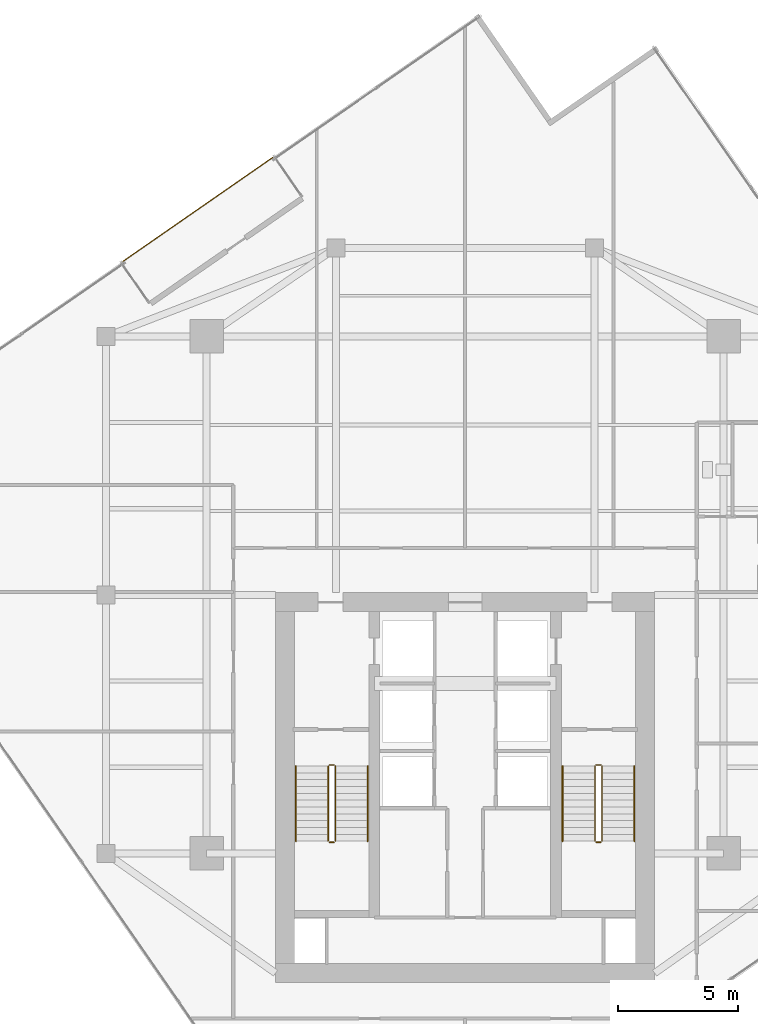
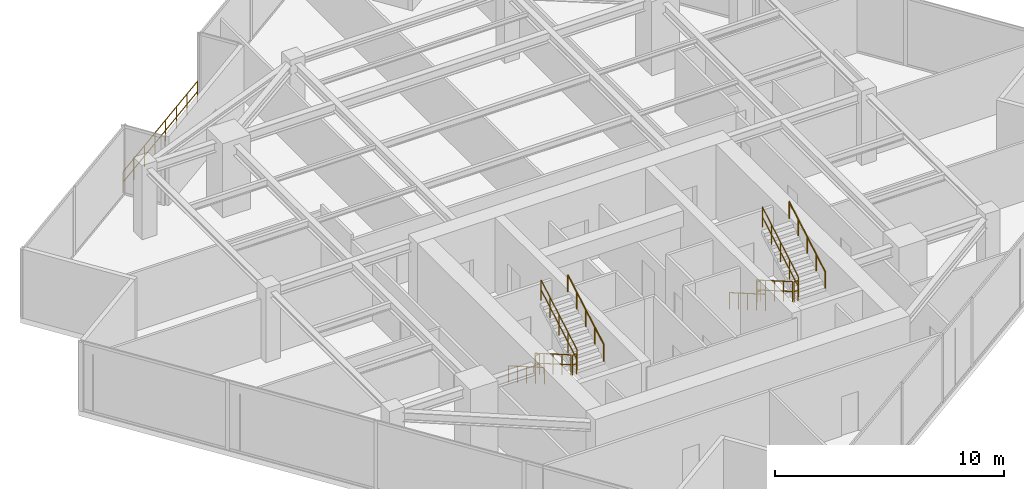
# One storey, part 20 of 21: 13 railings.
"""IFC4 building model written with IfcOpenShell, lengths in metres."""

from ifc_helpers import new_model, si_unit, direction, frame, origin, origin_2d, place, context, subcontext, project, spatial, circle, extrude, material, layer, layer_set, type_object, element, save


model = new_model("IFC4")

# Units and contexts
model_context = context("Model", 3, precision=1e-05, world=origin(), true_north=direction((0.0, 1.0)))
body_context = subcontext(model_context, "Body", "Model", "MODEL_VIEW")
ifc_project = project(units=[si_unit("LENGTHUNIT", "METRE"), si_unit("AREAUNIT", "SQUARE_METRE"), si_unit("VOLUMEUNIT", "CUBIC_METRE"), si_unit("PLANEANGLEUNIT", "RADIAN"), si_unit("MASSUNIT", "GRAM", prefix="KILO")], contexts=[model_context])

# Site, building, storey
site_placement = place(None, origin())
site = spatial("IfcSite", under=ifc_project, at=site_placement, CompositionType="ELEMENT")
building_placement = place(site_placement, origin())
building = spatial("IfcBuilding", under=site, at=building_placement, Name="Krantzveldt Concourse Tower", CompositionType="ELEMENT")
storey_placement = place(building_placement, frame((0.0, 0.0, 279.25)))
storey = spatial("IfcBuildingStorey", under=building, at=storey_placement, Name="L68", CompositionType="ELEMENT", Elevation=279.25)

# Railings
ifc_material = material(Name="Stainless steel 316L", Category="steel")
ifc_layer_1 = layer(ifc_material, 0.080078125, Name="Stainless steel 316L", Category="steel")
ifc_layer_set_1 = layer_set([ifc_layer_1], Name="Stainless steel 316L (RL-BALUSTRADE-1150)")
railing_type_1 = type_object("IfcRailingType", Name="RL-BALUSTRADE-1150", PredefinedType="BALUSTRADE", material=ifc_layer_set_1)
railing_1_placement = place(storey_placement, frame((27.950439453125, 44.97021484375, 0.0)))
element("IfcRailing", 1, at=railing_1_placement, inside=storey, type_object=railing_type_1, Name="GD-L68-CTER-01", PredefinedType="BALUSTRADE", context=body_context, shape_type="SweptSolid", body=[
    extrude(circle(Radius=0.02392578125, at=origin_2d()), frame((0.0, 0.0, 1.1259765625), z_axis=(-0.821648291551, -0.569994811372, 0.0), x_axis=(0.569994811372, -0.821648291551, 0.0)), (0.0, 0.0, 1.0), 7.60009765625),
    extrude(circle(Radius=0.02392578125, at=origin_2d()), frame((0.0, 0.0, 0.574951171875), z_axis=(-0.821648291551, -0.569994811372, 0.0), x_axis=(0.569994811372, -0.821648291551, 0.0)), (0.0, 0.0, 1.0), 7.60009765625),
    extrude(circle(Radius=0.02099609375, at=origin_2d()), origin(), (0.0, 0.0, 1.0), 1.101806640625),
    extrude(circle(Radius=0.02099609375, at=origin_2d()), frame((-0.89208984375, -0.618896484375, 0.0)), (0.0, 0.0, 1.0), 1.101806640625),
    extrude(circle(Radius=0.02099609375, at=origin_2d()), frame((-1.7841796875, -1.23779296875, 0.0)), (0.0, 0.0, 1.0), 1.101806640625),
    extrude(circle(Radius=0.02099609375, at=origin_2d()), frame((-2.67626953125, -1.856689453125, 0.0)), (0.0, 0.0, 1.0), 1.101806640625),
    extrude(circle(Radius=0.02099609375, at=origin_2d()), frame((-3.568359375, -2.475341796875, 0.0)), (0.0, 0.0, 1.0), 1.101806640625),
    extrude(circle(Radius=0.02099609375, at=origin_2d()), frame((-4.46044921875, -3.09423828125, 0.0)), (0.0, 0.0, 1.0), 1.101806640625),
    extrude(circle(Radius=0.02099609375, at=origin_2d()), frame((-5.3525390625, -3.713134765625, 0.0)), (0.0, 0.0, 1.0), 1.101806640625),
    extrude(circle(Radius=0.02099609375, at=origin_2d()), frame((-6.24462890625, -4.33203125, 0.0)), (0.0, 0.0, 1.0), 1.101806640625),
])
ifc_layer_2 = layer(ifc_material, 0.06005859375, Name="Stainless steel 316L", Category="steel")
ifc_layer_set_2 = layer_set([ifc_layer_2], Name="Stainless steel 316L (RL-GUARD-1120)")
railing_type_2 = type_object("IfcRailingType", Name="RL-GUARD-1120", PredefinedType="GUARDRAIL", material=ifc_layer_set_2)
railing_2_placement = place(storey_placement, frame((30.280029296875, 19.550048828125, 0.16455078125)))
element("IfcRailing", 2, at=railing_2_placement, inside=storey, type_object=railing_type_2, Name="L68 ST-1 stair guard 1", PredefinedType="GUARDRAIL", context=body_context, shape_type="SweptSolid", body=[
    extrude(circle(Radius=0.02392578125, at=origin_2d()), frame((0.0, 0.0, 1.076171875), z_axis=(0.0, -0.865959834175, 0.500113552702), x_axis=(1.0, 0.0, 0.0)), (0.0, 0.0, 1.0), 3.620361328125),
    extrude(circle(Radius=0.02392578125, at=origin_2d()), frame((0.0, 0.0, 0.550048828125), z_axis=(0.0, -0.865959834175, 0.500113552702), x_axis=(1.0, 0.0, 0.0)), (0.0, 0.0, 1.0), 3.620361328125),
    extrude(circle(Radius=0.02099609375, at=origin_2d()), origin(), (0.0, 0.0, 1.0), 1.052001953125),
    extrude(circle(Radius=0.02099609375, at=origin_2d()), frame((0.0, -0.78369140625, 0.45263671875)), (0.0, 0.0, 1.0), 1.052001953125),
    extrude(circle(Radius=0.02099609375, at=origin_2d()), frame((0.0, -1.5673828125, 0.9052734375)), (0.0, 0.0, 1.0), 1.052001953125),
    extrude(circle(Radius=0.02099609375, at=origin_2d()), frame((0.0, -2.351318359375, 1.35791015625)), (0.0, 0.0, 1.0), 1.052001953125),
    extrude(circle(Radius=0.02099609375, at=origin_2d()), frame((0.0, -3.135009765625, 1.810546875)), (0.0, 0.0, 1.0), 1.052001953125),
])
railing_3_placement = place(storey_placement, frame((30.330078125, 16.364990234375, 1.97509765625)))
element("IfcRailing", 3, at=railing_3_placement, inside=storey, type_object=railing_type_2, Name="L68 ST-1 stair guard 2", PredefinedType="GUARDRAIL", context=body_context, shape_type="SweptSolid", body=[
    extrude(circle(Radius=0.02392578125, at=origin_2d()), frame((0.0, 0.0, 1.076171875), z_axis=(1.0, 0.0, 0.0), x_axis=(0.0, 1.0, 0.0)), (0.0, 0.0, 1.0), 0.199951171875),
    extrude(circle(Radius=0.02392578125, at=origin_2d()), frame((0.0, 0.0, 0.550048828125), z_axis=(1.0, 0.0, 0.0), x_axis=(0.0, 1.0, 0.0)), (0.0, 0.0, 1.0), 0.199951171875),
    extrude(circle(Radius=0.02099609375, at=origin_2d()), origin(), (0.0, 0.0, 1.0), 1.052001953125),
    extrude(circle(Radius=0.02099609375, at=origin_2d()), frame((0.199951171875, 0.0, 0.0)), (0.0, 0.0, 1.0), 1.052001953125),
])
railing_4_placement = place(storey_placement, frame((30.580078125, 16.4150390625, 2.1396484375)))
element("IfcRailing", 4, at=railing_4_placement, inside=storey, type_object=railing_type_2, Name="L68 ST-1 stair guard 3", PredefinedType="GUARDRAIL", context=body_context, shape_type="SweptSolid", body=[
    extrude(circle(Radius=0.02392578125, at=origin_2d()), frame((0.0, 0.0, 1.076171875), z_axis=(0.0, 0.865989039225, 0.500062979975), x_axis=(-1.0, 0.0, 0.0)), (0.0, 0.0, 1.0), 3.6201171875),
    extrude(circle(Radius=0.02392578125, at=origin_2d()), frame((0.0, 0.0, 0.550048828125), z_axis=(0.0, 0.865989039225, 0.500062979975), x_axis=(-1.0, 0.0, 0.0)), (0.0, 0.0, 1.0), 3.6201171875),
    extrude(circle(Radius=0.02099609375, at=origin_2d()), origin(), (0.0, 0.0, 1.0), 1.052001953125),
    extrude(circle(Radius=0.02099609375, at=origin_2d()), frame((0.0, 0.78369140625, 0.45263671875)), (0.0, 0.0, 1.0), 1.052001953125),
    extrude(circle(Radius=0.02099609375, at=origin_2d()), frame((0.0, 1.5673828125, 0.9052734375)), (0.0, 0.0, 1.0), 1.052001953125),
    extrude(circle(Radius=0.02099609375, at=origin_2d()), frame((0.0, 2.351318359375, 1.357666015625)), (0.0, 0.0, 1.0), 1.052001953125),
    extrude(circle(Radius=0.02099609375, at=origin_2d()), frame((0.0, 3.135009765625, 1.810302734375)), (0.0, 0.0, 1.0), 1.052001953125),
])
railing_5_placement = place(storey_placement, frame((30.330078125, 19.60009765625, 0.0)))
element("IfcRailing", 5, at=railing_5_placement, inside=storey, type_object=railing_type_2, Name="L68 ST-1 stair guard 4", PredefinedType="GUARDRAIL", context=body_context, shape_type="SweptSolid", body=[
    extrude(circle(Radius=0.02392578125, at=origin_2d()), frame((0.0, 0.0, 1.076171875), z_axis=(1.0, 0.0, 0.0), x_axis=(0.0, 1.0, 0.0)), (0.0, 0.0, 1.0), 0.199951171875),
    extrude(circle(Radius=0.02392578125, at=origin_2d()), frame((0.0, 0.0, 0.550048828125), z_axis=(1.0, 0.0, 0.0), x_axis=(0.0, 1.0, 0.0)), (0.0, 0.0, 1.0), 0.199951171875),
    extrude(circle(Radius=0.02099609375, at=origin_2d()), origin(), (0.0, 0.0, 1.0), 1.052001953125),
    extrude(circle(Radius=0.02099609375, at=origin_2d()), frame((0.199951171875, 0.0, 0.0)), (0.0, 0.0, 1.0), 1.052001953125),
])
railing_6_placement = place(storey_placement, frame((41.419921875, 19.550048828125, 0.16455078125)))
element("IfcRailing", 6, at=railing_6_placement, inside=storey, type_object=railing_type_2, Name="L68 ST-2 stair guard 1", PredefinedType="GUARDRAIL", context=body_context, shape_type="SweptSolid", body=[
    extrude(circle(Radius=0.02392578125, at=origin_2d()), frame((0.0, 0.0, 1.076171875), z_axis=(0.0, -0.865959834175, 0.500113552702), x_axis=(1.0, 0.0, 0.0)), (0.0, 0.0, 1.0), 3.620361328125),
    extrude(circle(Radius=0.02392578125, at=origin_2d()), frame((0.0, 0.0, 0.550048828125), z_axis=(0.0, -0.865959834175, 0.500113552702), x_axis=(1.0, 0.0, 0.0)), (0.0, 0.0, 1.0), 3.620361328125),
    extrude(circle(Radius=0.02099609375, at=origin_2d()), origin(), (0.0, 0.0, 1.0), 1.052001953125),
    extrude(circle(Radius=0.02099609375, at=origin_2d()), frame((0.0, -0.78369140625, 0.45263671875)), (0.0, 0.0, 1.0), 1.052001953125),
    extrude(circle(Radius=0.02099609375, at=origin_2d()), frame((0.0, -1.5673828125, 0.9052734375)), (0.0, 0.0, 1.0), 1.052001953125),
    extrude(circle(Radius=0.02099609375, at=origin_2d()), frame((0.0, -2.351318359375, 1.35791015625)), (0.0, 0.0, 1.0), 1.052001953125),
    extrude(circle(Radius=0.02099609375, at=origin_2d()), frame((0.0, -3.135009765625, 1.810546875)), (0.0, 0.0, 1.0), 1.052001953125),
])
railing_7_placement = place(storey_placement, frame((41.469970703125, 16.364990234375, 1.97509765625)))
element("IfcRailing", 7, at=railing_7_placement, inside=storey, type_object=railing_type_2, Name="L68 ST-2 stair guard 2", PredefinedType="GUARDRAIL", context=body_context, shape_type="SweptSolid", body=[
    extrude(circle(Radius=0.02392578125, at=origin_2d()), frame((0.0, 0.0, 1.076171875), z_axis=(1.0, 0.0, 0.0), x_axis=(0.0, 1.0, 0.0)), (0.0, 0.0, 1.0), 0.199951171875),
    extrude(circle(Radius=0.02392578125, at=origin_2d()), frame((0.0, 0.0, 0.550048828125), z_axis=(1.0, 0.0, 0.0), x_axis=(0.0, 1.0, 0.0)), (0.0, 0.0, 1.0), 0.199951171875),
    extrude(circle(Radius=0.02099609375, at=origin_2d()), origin(), (0.0, 0.0, 1.0), 1.052001953125),
    extrude(circle(Radius=0.02099609375, at=origin_2d()), frame((0.199951171875, 0.0, 0.0)), (0.0, 0.0, 1.0), 1.052001953125),
])
railing_8_placement = place(storey_placement, frame((41.719970703125, 16.4150390625, 2.1396484375)))
element("IfcRailing", 8, at=railing_8_placement, inside=storey, type_object=railing_type_2, Name="L68 ST-2 stair guard 3", PredefinedType="GUARDRAIL", context=body_context, shape_type="SweptSolid", body=[
    extrude(circle(Radius=0.02392578125, at=origin_2d()), frame((0.0, 0.0, 1.076171875), z_axis=(0.0, 0.865989039225, 0.500062979975), x_axis=(-1.0, 0.0, 0.0)), (0.0, 0.0, 1.0), 3.6201171875),
    extrude(circle(Radius=0.02392578125, at=origin_2d()), frame((0.0, 0.0, 0.550048828125), z_axis=(0.0, 0.865989039225, 0.500062979975), x_axis=(-1.0, 0.0, 0.0)), (0.0, 0.0, 1.0), 3.6201171875),
    extrude(circle(Radius=0.02099609375, at=origin_2d()), origin(), (0.0, 0.0, 1.0), 1.052001953125),
    extrude(circle(Radius=0.02099609375, at=origin_2d()), frame((0.0, 0.78369140625, 0.45263671875)), (0.0, 0.0, 1.0), 1.052001953125),
    extrude(circle(Radius=0.02099609375, at=origin_2d()), frame((0.0, 1.5673828125, 0.9052734375)), (0.0, 0.0, 1.0), 1.052001953125),
    extrude(circle(Radius=0.02099609375, at=origin_2d()), frame((0.0, 2.351318359375, 1.357666015625)), (0.0, 0.0, 1.0), 1.052001953125),
    extrude(circle(Radius=0.02099609375, at=origin_2d()), frame((0.0, 3.135009765625, 1.810302734375)), (0.0, 0.0, 1.0), 1.052001953125),
])
railing_9_placement = place(storey_placement, frame((41.469970703125, 19.60009765625, 0.0)))
element("IfcRailing", 9, at=railing_9_placement, inside=storey, type_object=railing_type_2, Name="L68 ST-2 stair guard 4", PredefinedType="GUARDRAIL", context=body_context, shape_type="SweptSolid", body=[
    extrude(circle(Radius=0.02392578125, at=origin_2d()), frame((0.0, 0.0, 1.076171875), z_axis=(1.0, 0.0, 0.0), x_axis=(0.0, 1.0, 0.0)), (0.0, 0.0, 1.0), 0.199951171875),
    extrude(circle(Radius=0.02392578125, at=origin_2d()), frame((0.0, 0.0, 0.550048828125), z_axis=(1.0, 0.0, 0.0), x_axis=(0.0, 1.0, 0.0)), (0.0, 0.0, 1.0), 0.199951171875),
    extrude(circle(Radius=0.02099609375, at=origin_2d()), origin(), (0.0, 0.0, 1.0), 1.052001953125),
    extrude(circle(Radius=0.02099609375, at=origin_2d()), frame((0.199951171875, 0.0, 0.0)), (0.0, 0.0, 1.0), 1.052001953125),
])
ifc_layer_3 = layer(ifc_material, 0.050048828125, Name="Stainless steel 316L", Category="steel")
ifc_layer_set_3 = layer_set([ifc_layer_3], Name="Stainless steel 316L (RL-HANDRAIL-920)")
railing_type_3 = type_object("IfcRailingType", Name="RL-HANDRAIL-920", PredefinedType="HANDRAIL", material=ifc_layer_set_3)
railing_10_placement = place(storey_placement, frame((28.929931640625, 19.550048828125, 0.16455078125)))
element("IfcRailing", 10, at=railing_10_placement, inside=storey, type_object=railing_type_3, Name="L68 ST-1 stair handrail 1", PredefinedType="HANDRAIL", context=body_context, shape_type="SweptSolid", body=[
    extrude(circle(Radius=0.02392578125, at=origin_2d()), frame((0.0, 0.0, 0.8759765625), z_axis=(0.0, -0.865959834175, 0.500113552702), x_axis=(1.0, 0.0, 0.0)), (0.0, 0.0, 1.0), 3.620361328125),
    extrude(circle(Radius=0.02099609375, at=origin_2d()), origin(), (0.0, 0.0, 1.0), 0.851806640625),
    extrude(circle(Radius=0.02099609375, at=origin_2d()), frame((0.0, -0.78369140625, 0.45263671875)), (0.0, 0.0, 1.0), 0.851806640625),
    extrude(circle(Radius=0.02099609375, at=origin_2d()), frame((0.0, -1.5673828125, 0.9052734375)), (0.0, 0.0, 1.0), 0.851806640625),
    extrude(circle(Radius=0.02099609375, at=origin_2d()), frame((0.0, -2.351318359375, 1.35791015625)), (0.0, 0.0, 1.0), 0.851806640625),
    extrude(circle(Radius=0.02099609375, at=origin_2d()), frame((0.0, -3.135009765625, 1.810546875)), (0.0, 0.0, 1.0), 0.851806640625),
])
railing_11_placement = place(storey_placement, frame((31.929931640625, 16.4150390625, 2.1396484375)))
element("IfcRailing", 11, at=railing_11_placement, inside=storey, type_object=railing_type_3, Name="L68 ST-1 stair handrail 2", PredefinedType="HANDRAIL", context=body_context, shape_type="SweptSolid", body=[
    extrude(circle(Radius=0.02392578125, at=origin_2d()), frame((0.0, 0.0, 0.8759765625), z_axis=(0.0, 0.865989039225, 0.500062979975), x_axis=(-1.0, 0.0, 0.0)), (0.0, 0.0, 1.0), 3.6201171875),
    extrude(circle(Radius=0.02099609375, at=origin_2d()), origin(), (0.0, 0.0, 1.0), 0.851806640625),
    extrude(circle(Radius=0.02099609375, at=origin_2d()), frame((0.0, 0.78369140625, 0.45263671875)), (0.0, 0.0, 1.0), 0.851806640625),
    extrude(circle(Radius=0.02099609375, at=origin_2d()), frame((0.0, 1.5673828125, 0.9052734375)), (0.0, 0.0, 1.0), 0.851806640625),
    extrude(circle(Radius=0.02099609375, at=origin_2d()), frame((0.0, 2.351318359375, 1.357666015625)), (0.0, 0.0, 1.0), 0.851806640625),
    extrude(circle(Radius=0.02099609375, at=origin_2d()), frame((0.0, 3.135009765625, 1.810302734375)), (0.0, 0.0, 1.0), 0.851806640625),
])
railing_12_placement = place(storey_placement, frame((40.070068359375, 19.550048828125, 0.16455078125)))
element("IfcRailing", 12, at=railing_12_placement, inside=storey, type_object=railing_type_3, Name="L68 ST-2 stair handrail 1", PredefinedType="HANDRAIL", context=body_context, shape_type="SweptSolid", body=[
    extrude(circle(Radius=0.02392578125, at=origin_2d()), frame((0.0, 0.0, 0.8759765625), z_axis=(0.0, -0.865959834175, 0.500113552702), x_axis=(1.0, 0.0, 0.0)), (0.0, 0.0, 1.0), 3.620361328125),
    extrude(circle(Radius=0.02099609375, at=origin_2d()), origin(), (0.0, 0.0, 1.0), 0.851806640625),
    extrude(circle(Radius=0.02099609375, at=origin_2d()), frame((0.0, -0.78369140625, 0.45263671875)), (0.0, 0.0, 1.0), 0.851806640625),
    extrude(circle(Radius=0.02099609375, at=origin_2d()), frame((0.0, -1.5673828125, 0.9052734375)), (0.0, 0.0, 1.0), 0.851806640625),
    extrude(circle(Radius=0.02099609375, at=origin_2d()), frame((0.0, -2.351318359375, 1.35791015625)), (0.0, 0.0, 1.0), 0.851806640625),
    extrude(circle(Radius=0.02099609375, at=origin_2d()), frame((0.0, -3.135009765625, 1.810546875)), (0.0, 0.0, 1.0), 0.851806640625),
])
railing_13_placement = place(storey_placement, frame((43.070068359375, 16.4150390625, 2.1396484375)))
element("IfcRailing", 13, at=railing_13_placement, inside=storey, type_object=railing_type_3, Name="L68 ST-2 stair handrail 2", PredefinedType="HANDRAIL", context=body_context, shape_type="SweptSolid", body=[
    extrude(circle(Radius=0.02392578125, at=origin_2d()), frame((0.0, 0.0, 0.8759765625), z_axis=(0.0, 0.865989039225, 0.500062979975), x_axis=(-1.0, 0.0, 0.0)), (0.0, 0.0, 1.0), 3.6201171875),
    extrude(circle(Radius=0.02099609375, at=origin_2d()), origin(), (0.0, 0.0, 1.0), 0.851806640625),
    extrude(circle(Radius=0.02099609375, at=origin_2d()), frame((0.0, 0.78369140625, 0.45263671875)), (0.0, 0.0, 1.0), 0.851806640625),
    extrude(circle(Radius=0.02099609375, at=origin_2d()), frame((0.0, 1.5673828125, 0.9052734375)), (0.0, 0.0, 1.0), 0.851806640625),
    extrude(circle(Radius=0.02099609375, at=origin_2d()), frame((0.0, 2.351318359375, 1.357666015625)), (0.0, 0.0, 1.0), 0.851806640625),
    extrude(circle(Radius=0.02099609375, at=origin_2d()), frame((0.0, 3.135009765625, 1.810302734375)), (0.0, 0.0, 1.0), 0.851806640625),
])

save(model, "model.ifc")
